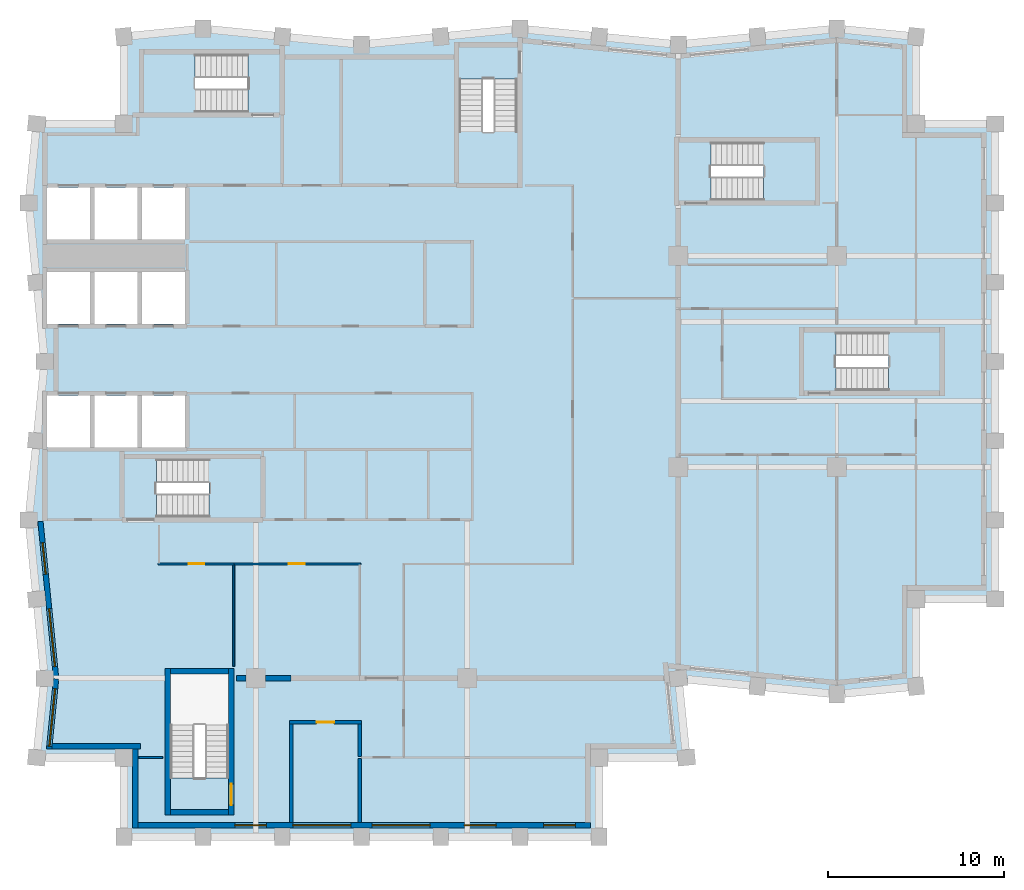
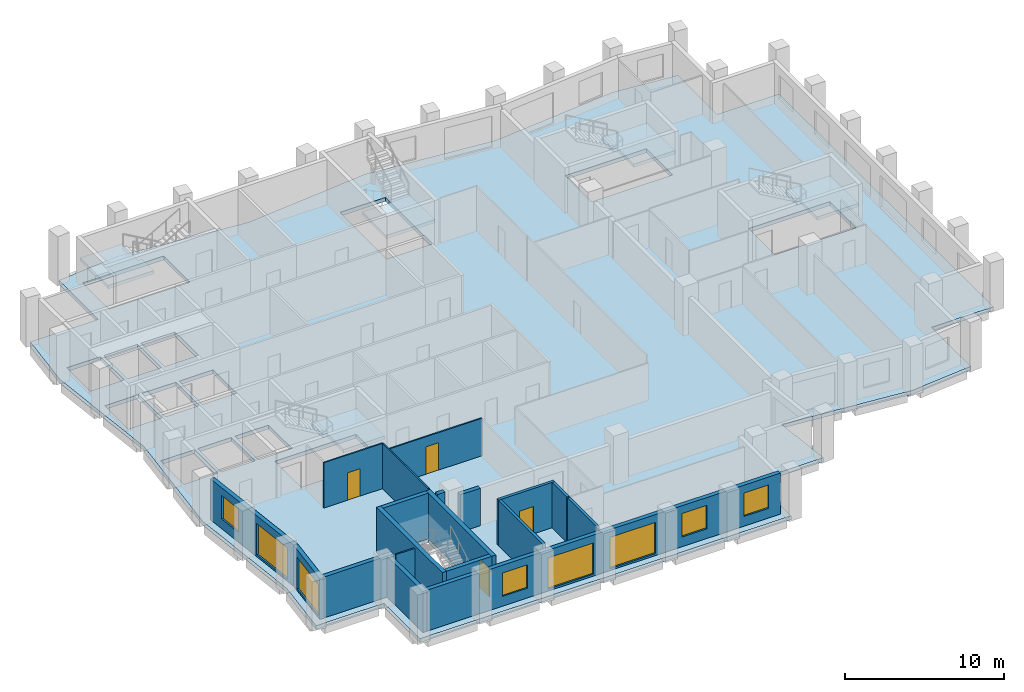
# One storey, part 2 of 8: 19 walls, 8 windows, 6 slabs, 4 doors, 12 openings, 5 elements without a shape of their own.
"""IFC4 building model written with IfcOpenShell, lengths in metres."""

from ifc_helpers import new_model, si_unit, direction, frame, frame_2d, origin, place, context, subcontext, project, spatial, polyline, rectangle, outline, extrude, material, layer, layer_set, type_object, element, fill, aggregate, save


model = new_model("IFC4")

# Units and contexts
model_context = context("Model", 3, precision=1e-05, world=origin(), true_north=direction((0.0, 1.0)))
body_context = subcontext(model_context, "Body", "Model", "MODEL_VIEW")
ifc_project = project(units=[si_unit("LENGTHUNIT", "METRE"), si_unit("AREAUNIT", "SQUARE_METRE"), si_unit("VOLUMEUNIT", "CUBIC_METRE"), si_unit("PLANEANGLEUNIT", "RADIAN"), si_unit("MASSUNIT", "GRAM", prefix="KILO")], contexts=[model_context])

# Site, building, storey
site_placement = place(None, origin())
site = spatial("IfcSite", under=ifc_project, at=site_placement, CompositionType="ELEMENT")
building_placement = place(site_placement, origin())
building = spatial("IfcBuilding", under=site, at=building_placement, Name="Brondeck Convention Tower", CompositionType="ELEMENT")
storey_placement = place(building_placement, frame((0.0, 0.0, 221.60009765625)))
storey = spatial("IfcBuildingStorey", under=building, at=storey_placement, Name="L54", CompositionType="ELEMENT", Elevation=221.60009765625)

# Slab
ifc_material_1 = material(Name="Concrete C35/45", Category="concrete")
ifc_layer_1 = layer(ifc_material_1, 0.300048828125)
ifc_layer_set_1 = layer_set([ifc_layer_1], Name="Composite floor slab 300")
slab_type_1 = type_object("IfcSlabType", Name="Composite floor slab 300", PredefinedType="FLOOR", material=ifc_layer_set_1)
slab_1_placement = place(storey_placement, frame((0.0, 0.0, -0.300048828125)))
element("IfcSlab", 1, at=slab_1_placement, inside=storey, type_object=slab_type_1, Name="STR-SL-L54", PredefinedType="FLOOR", context=body_context, shape_type="SweptSolid", body=[
    extrude(outline(polyline([(4.5, 22.5), (-0.449951171875, 22.5), (0.0, 27.0), (-0.89990234375, 36.0), (0.0, 45.0), (-0.89990234375, 54.0), (-0.449951171875, 58.5), (4.5, 58.5), (4.5, 63.449951171875), (9.0, 63.89990234375), (18.0, 63.0), (27.0, 63.89990234375), (36.0, 63.0), (45.0, 63.89990234375), (49.5, 63.449951171875), (49.5, 58.5), (54.0, 58.5), (54.0, 31.5), (49.5, 31.5), (49.5, 26.550048828125), (45.0, 26.10009765625), (36.0, 27.0), (36.449951171875, 22.5), (31.5, 22.5), (31.5, 18.0), (4.5, 18.0), (4.5, 22.5)]), holes=[polyline([(2.574951171875, 43.074951171875), (0.125, 43.074951171875), (0.125, 40.125), (2.574951171875, 40.125), (2.574951171875, 43.074951171875)]), polyline([(5.27490234375, 40.125), (5.27490234375, 43.074951171875), (2.824951171875, 43.074951171875), (2.824951171875, 40.125), (5.27490234375, 40.125)]), polyline([(7.97509765625, 40.125), (7.97509765625, 43.074951171875), (5.52490234375, 43.074951171875), (5.52490234375, 40.125), (7.97509765625, 40.125)]), polyline([(2.574951171875, 47.125), (2.574951171875, 50.074951171875), (0.125, 50.074951171875), (0.125, 47.125), (2.574951171875, 47.125)]), polyline([(5.27490234375, 47.125), (5.27490234375, 50.074951171875), (2.824951171875, 50.074951171875), (2.824951171875, 47.125), (5.27490234375, 47.125)]), polyline([(7.97509765625, 47.125), (7.97509765625, 50.074951171875), (5.52490234375, 50.074951171875), (5.52490234375, 47.125), (7.97509765625, 47.125)]), polyline([(2.574951171875, 51.925048828125), (2.574951171875, 54.875), (0.125, 54.875), (0.125, 51.925048828125), (2.574951171875, 51.925048828125)]), polyline([(5.27490234375, 51.925048828125), (5.27490234375, 54.875), (2.824951171875, 54.875), (2.824951171875, 51.925048828125), (5.27490234375, 51.925048828125)]), polyline([(10.447998046875, 27.248046875), (7.152099609375, 27.248046875), (7.152099609375, 21.35205078125), (10.447998046875, 21.35205078125), (10.447998046875, 27.248046875)]), polyline([(12.248046875, 36.152099609375), (12.248046875, 39.447998046875), (6.35205078125, 39.447998046875), (6.35205078125, 36.152099609375), (12.248046875, 36.152099609375)]), polyline([(50.847900390625, 43.35205078125), (50.847900390625, 46.64794921875), (44.951904296875, 46.64794921875), (44.951904296875, 43.35205078125), (50.847900390625, 43.35205078125)]), polyline([(7.97509765625, 51.925048828125), (7.97509765625, 54.875), (5.52490234375, 54.875), (5.52490234375, 51.925048828125), (7.97509765625, 51.925048828125)]), polyline([(43.748046875, 54.152099609375), (43.748046875, 57.447998046875), (37.85205078125, 57.447998046875), (37.85205078125, 54.152099609375), (43.748046875, 54.152099609375)]), polyline([(23.552001953125, 55.152099609375), (26.847900390625, 55.152099609375), (26.847900390625, 61.048095703125), (23.552001953125, 61.048095703125), (23.552001953125, 55.152099609375)]), polyline([(5.652099609375, 62.447998046875), (5.652099609375, 59.152099609375), (11.548095703125, 59.152099609375), (11.548095703125, 62.447998046875), (5.652099609375, 62.447998046875)])]), origin(), (0.0, 0.0, 1.0), 0.300048828125),
])

# Stair, slab
ifc_material_2 = material(Name="Precast concrete C50/60", Category="concrete")
stair_type = type_object("IfcStairType", Name="Core stair 22 risers 172.73 mm riser 300 mm going 1350 wide", PredefinedType="HALF_TURN_STAIR", material=ifc_material_2)
stair_1_placement = place(storey_placement, origin())
stair_1 = element("IfcStair", 2, at=stair_1_placement, inside=storey, type_object=stair_type, Name="ST-1 L54 stair", PredefinedType="HALF_TURN_STAIR")
ifc_layer_2 = layer(ifc_material_2, 0.25)
ifc_layer_set_2 = layer_set([ifc_layer_2], Name="Core stair landing 250 Precast concrete C50/60")
slab_type_2 = type_object("IfcSlabType", Name="Core stair landing 250 Precast concrete C50/60", PredefinedType="LANDING", material=ifc_layer_set_2)
slab_2_placement = place(storey_placement, frame((0.0, 0.0, 1.64990234375)))
slab_2 = element("IfcSlab", 3, at=slab_2_placement, type_object=slab_type_2, Name="ST-1 landing 1", PredefinedType="LANDING", context=body_context, shape_type="SweptSolid", body=[
    extrude(outline(polyline([(9.347900390625, 37.5), (9.35009765625, 37.5), (9.35009765625, 38.10009765625), (9.050048828125, 38.10009765625), (9.050048828125, 39.570068359375), (12.3701171875, 39.570068359375), (12.3701171875, 36.030029296875), (9.347900390625, 36.030029296875), (9.347900390625, 37.5)])), origin(), (0.0, 0.0, 1.0), 0.25),
])
aggregate(stair_1, [slab_2])

stair_2_placement = place(storey_placement, origin())
stair_2 = element("IfcStair", 4, at=stair_2_placement, inside=storey, type_object=stair_type, Name="ST-2 L54 stair", PredefinedType="HALF_TURN_STAIR")
slab_3_placement = place(storey_placement, frame((0.0, 0.0, 1.64990234375)))
slab_3 = element("IfcSlab", 5, at=slab_3_placement, type_object=slab_type_2, Name="ST-2 landing 1", PredefinedType="LANDING", context=body_context, shape_type="SweptSolid", body=[
    extrude(outline(polyline([(23.429931640625, 58.052001953125), (24.89990234375, 58.052001953125), (24.89990234375, 58.050048828125), (25.5, 58.050048828125), (25.5, 58.35009765625), (26.969970703125, 58.35009765625), (26.969970703125, 55.030029296875), (23.429931640625, 55.030029296875), (23.429931640625, 58.052001953125)])), origin(), (0.0, 0.0, 1.0), 0.25),
])
aggregate(stair_2, [slab_3])

stair_3_placement = place(storey_placement, origin())
stair_3 = element("IfcStair", 6, at=stair_3_placement, inside=storey, type_object=stair_type, Name="ST-3 L54 stair", PredefinedType="HALF_TURN_STAIR")
slab_4_placement = place(storey_placement, frame((0.0, 0.0, 1.64990234375)))
slab_4 = element("IfcSlab", 7, at=slab_4_placement, type_object=slab_type_2, Name="ST-3 landing 1", PredefinedType="LANDING", context=body_context, shape_type="SweptSolid", body=[
    extrude(outline(polyline([(8.85009765625, 60.5), (8.85009765625, 59.030029296875), (5.530029296875, 59.030029296875), (5.530029296875, 62.570068359375), (8.552001953125, 62.570068359375), (8.552001953125, 61.10009765625), (8.550048828125, 61.10009765625), (8.550048828125, 60.5), (8.85009765625, 60.5)])), origin(), (0.0, 0.0, 1.0), 0.25),
])
aggregate(stair_3, [slab_4])

stair_4_placement = place(storey_placement, origin())
stair_4 = element("IfcStair", 8, at=stair_4_placement, inside=storey, type_object=stair_type, Name="ST-AE L54 stair", PredefinedType="HALF_TURN_STAIR")
slab_5_placement = place(storey_placement, frame((0.0, 0.0, 1.64990234375)))
slab_5 = element("IfcSlab", 9, at=slab_5_placement, type_object=slab_type_2, Name="ST-AE landing 1", PredefinedType="LANDING", context=body_context, shape_type="SweptSolid", body=[
    extrude(outline(polyline([(40.847900390625, 55.5), (40.85009765625, 55.5), (40.85009765625, 56.10009765625), (40.550048828125, 56.10009765625), (40.550048828125, 57.570068359375), (43.8701171875, 57.570068359375), (43.8701171875, 54.030029296875), (40.847900390625, 54.030029296875), (40.847900390625, 55.5)])), origin(), (0.0, 0.0, 1.0), 0.25),
])
aggregate(stair_4, [slab_5])

stair_5_placement = place(storey_placement, origin())
stair_5 = element("IfcStair", 10, at=stair_5_placement, inside=storey, type_object=stair_type, Name="ST-AF L54 stair", PredefinedType="HALF_TURN_STAIR")
slab_6_placement = place(storey_placement, frame((0.0, 0.0, 1.64990234375)))
slab_6 = element("IfcSlab", 11, at=slab_6_placement, type_object=slab_type_2, Name="ST-AF landing 1", PredefinedType="LANDING", context=body_context, shape_type="SweptSolid", body=[
    extrude(outline(polyline([(47.947998046875, 44.699951171875), (47.949951171875, 44.699951171875), (47.949951171875, 45.300048828125), (47.64990234375, 45.300048828125), (47.64990234375, 46.77001953125), (50.969970703125, 46.77001953125), (50.969970703125, 43.22998046875), (47.947998046875, 43.22998046875), (47.947998046875, 44.699951171875)])), origin(), (0.0, 0.0, 1.0), 0.25),
])
aggregate(stair_5, [slab_6])

# Walls
ifc_material_3 = material(Name="Concrete compartment wall C30/37", Category="concrete")
ifc_layer_3 = layer(ifc_material_3, 0.300048828125)
ifc_layer_set_3 = layer_set([ifc_layer_3], Name="Compartment wall 300")
wall_type_1 = type_object("IfcWallType", Name="Compartment wall 300", PredefinedType="PARTITIONING", material=ifc_layer_set_3)
wall_1_placement = place(storey_placement, frame((10.89990234375, 27.0, 0.0), z_axis=(0.0, 0.0, 1.0), x_axis=(1.0, 0.0, 0.0)))
element("IfcWall", 12, at=wall_1_placement, inside=storey, type_object=wall_type_1, Name="FLR-L54-W013", PredefinedType="PARTITIONING", context=body_context, shape_type="SweptSolid", body=[
    extrude(rectangle(XDim=0.545166015625, YDim=0.300048828125, at=frame_2d((0.2724609375, 0.0))), origin(), (0.0, 0.0, 1.0), 3.47998046875),
])
wall_2_placement = place(storey_placement, frame((12.554931640625, 27.0, 0.0), z_axis=(0.0, 0.0, 1.0), x_axis=(1.0, 0.0, 0.0)))
element("IfcWall", 13, at=wall_2_placement, inside=storey, type_object=wall_type_1, Name="FLR-L54-W014", PredefinedType="PARTITIONING", context=body_context, shape_type="SweptSolid", body=[
    extrude(rectangle(XDim=1.445068359375, YDim=0.300048828125, at=frame_2d((0.72265625, 0.0))), origin(), (0.0, 0.0, 1.0), 2.8798828125),
])

# Wall, openings, windows
ifc_material_4 = material(Name="Precast concrete C50/60 bronze finish", Category="concrete")
ifc_layer_4 = layer(ifc_material_4, 0.070068359375, Name="Bronze precast facing")
ifc_material_5 = material(Name="Mineral wool")
ifc_layer_5 = layer(ifc_material_5, 0.159912109375, Name="Insulation")
ifc_layer_6 = layer(ifc_material_1, 0.070068359375, Name="Backing")
ifc_layer_set_4 = layer_set([ifc_layer_4, ifc_layer_5, ifc_layer_6], Name="External infill wall, precast concrete C50/60 bronze facing")
wall_type_2 = type_object("IfcWallType", Name="External infill wall, precast concrete C50/60 bronze facing", PredefinedType="SOLIDWALL", material=ifc_layer_set_4)
wall_3_placement = place(storey_placement, frame((31.0, 18.64990234375, 0.0), z_axis=(0.0, 0.0, 1.0), x_axis=(-1.0, 0.0, 0.0)))
wall_3 = element("IfcWall", 14, at=wall_3_placement, inside=storey, type_object=wall_type_2, Name="ENV-EW-L54-P2-B-S18-01", PredefinedType="SOLIDWALL", context=body_context, shape_type="SweptSolid", body=[
    extrude(rectangle(XDim=25.699951171875, YDim=0.300048828125, at=frame_2d((12.85009765625, 0.0))), origin(), (0.0, 0.0, 1.0), 3.14990234375),
])
opening_1_placement = place(wall_3_placement, frame((0.85009765625, 0.0, 0.75)))
opening_1 = element("IfcOpeningElement", 15, at=opening_1_placement, cuts=wall_3, Name="Opening W10", PredefinedType="OPENING", context=body_context, shape_type="SweptSolid", body=[
    extrude(rectangle(XDim=1.800048828125, YDim=1.800048828125, at=frame_2d((0.89990234375, 0.89990234375))), frame((0.0, 0.159912109375, 0.0), z_axis=(0.0, -1.0, 0.0), x_axis=(1.0, 0.0, 0.0)), (0.0, 0.0, 1.0), 0.320068359375),
])
opening_2_placement = place(wall_3_placement, frame((5.35009765625, 0.0, 0.75)))
opening_2 = element("IfcOpeningElement", 16, at=opening_2_placement, cuts=wall_3, Name="Opening W10", PredefinedType="OPENING", context=body_context, shape_type="SweptSolid", body=[
    extrude(rectangle(XDim=1.800048828125, YDim=1.800048828125, at=frame_2d((0.89990234375, 0.89990234375))), frame((0.0, 0.159912109375, 0.0), z_axis=(0.0, -1.0, 0.0), x_axis=(1.0, 0.0, 0.0)), (0.0, 0.0, 1.0), 0.320068359375),
])
opening_3_placement = place(wall_3_placement, frame((9.10009765625, 0.0, 0.14990234375)))
opening_3 = element("IfcOpeningElement", 17, at=opening_3_placement, cuts=wall_3, Name="Opening W9", PredefinedType="OPENING", context=body_context, shape_type="SweptSolid", body=[
    extrude(rectangle(XDim=3.300048828125, YDim=2.39990234375, at=frame_2d((1.64990234375, 1.199951171875))), frame((0.0, 0.159912109375, 0.0), z_axis=(0.0, -1.0, 0.0), x_axis=(1.0, 0.0, 0.0)), (0.0, 0.0, 1.0), 0.320068359375),
])
opening_4_placement = place(wall_3_placement, frame((13.60009765625, 0.0, 0.14990234375)))
opening_4 = element("IfcOpeningElement", 18, at=opening_4_placement, cuts=wall_3, Name="Opening W9", PredefinedType="OPENING", context=body_context, shape_type="SweptSolid", body=[
    extrude(rectangle(XDim=3.300048828125, YDim=2.39990234375, at=frame_2d((1.64990234375, 1.199951171875))), frame((0.0, 0.159912109375, 0.0), z_axis=(0.0, -1.0, 0.0), x_axis=(1.0, 0.0, 0.0)), (0.0, 0.0, 1.0), 0.320068359375),
])
opening_5_placement = place(wall_3_placement, frame((18.39990234375, 0.0, 0.75)))
opening_5 = element("IfcOpeningElement", 19, at=opening_5_placement, cuts=wall_3, Name="Opening W10", PredefinedType="OPENING", context=body_context, shape_type="SweptSolid", body=[
    extrude(rectangle(XDim=1.800048828125, YDim=1.800048828125, at=frame_2d((0.89990234375, 0.89990234375))), frame((0.0, 0.159912109375, 0.0), z_axis=(0.0, -1.0, 0.0), x_axis=(1.0, 0.0, 0.0)), (0.0, 0.0, 1.0), 0.320068359375),
])
ifc_material_6 = material(Name="Bronze tinted double glazing", Category="glass")
window_type_1 = type_object("IfcWindowType", Name="Glazed flute window, bronze tinted", PartitioningType="SINGLE_PANEL", PredefinedType="WINDOW", material=ifc_material_6)
window_1_placement = place(opening_3_placement, origin())
window_1 = element("IfcWindow", 20, at=window_1_placement, inside=storey, type_object=window_type_1, Name="ENV-WN-L54-P2-B-S18-04", OverallHeight=2.39990234375, OverallWidth=3.300048828125, PartitioningType="SINGLE_PANEL", PredefinedType="WINDOW", context=body_context, shape_type="SweptSolid", body=[
    extrude(rectangle(XDim=3.300048828125, YDim=2.39990234375, at=frame_2d((1.64990234375, 1.199951171875))), frame((0.0, 0.030029296875, 0.0), z_axis=(0.0, -1.0, 0.0), x_axis=(1.0, 0.0, 0.0)), (0.0, 0.0, 1.0), 0.06005859375),
])
fill(opening_3, window_1)
window_2_placement = place(opening_4_placement, origin())
window_2 = element("IfcWindow", 21, at=window_2_placement, inside=storey, type_object=window_type_1, Name="ENV-WN-L54-P2-B-S18-03", OverallHeight=2.39990234375, OverallWidth=3.300048828125, PartitioningType="SINGLE_PANEL", PredefinedType="WINDOW", context=body_context, shape_type="SweptSolid", body=[
    extrude(rectangle(XDim=3.300048828125, YDim=2.39990234375, at=frame_2d((1.64990234375, 1.199951171875))), frame((0.0, 0.030029296875, 0.0), z_axis=(0.0, -1.0, 0.0), x_axis=(1.0, 0.0, 0.0)), (0.0, 0.0, 1.0), 0.06005859375),
])
fill(opening_4, window_2)
window_type_2 = type_object("IfcWindowType", Name="Punched window, bronze tinted", PartitioningType="SINGLE_PANEL", PredefinedType="WINDOW", material=ifc_material_6)
window_3_placement = place(opening_1_placement, origin())
window_3 = element("IfcWindow", 22, at=window_3_placement, inside=storey, type_object=window_type_2, Name="ENV-WN-L54-P2-B-S18-06", OverallHeight=1.800048828125, OverallWidth=1.800048828125, PartitioningType="SINGLE_PANEL", PredefinedType="WINDOW", context=body_context, shape_type="SweptSolid", body=[
    extrude(rectangle(XDim=1.800048828125, YDim=1.800048828125, at=frame_2d((0.89990234375, 0.89990234375))), frame((0.0, 0.030029296875, 0.0), z_axis=(0.0, -1.0, 0.0), x_axis=(1.0, 0.0, 0.0)), (0.0, 0.0, 1.0), 0.06005859375),
])
fill(opening_1, window_3)
window_4_placement = place(opening_2_placement, origin())
window_4 = element("IfcWindow", 23, at=window_4_placement, inside=storey, type_object=window_type_2, Name="ENV-WN-L54-P2-B-S18-05", OverallHeight=1.800048828125, OverallWidth=1.800048828125, PartitioningType="SINGLE_PANEL", PredefinedType="WINDOW", context=body_context, shape_type="SweptSolid", body=[
    extrude(rectangle(XDim=1.800048828125, YDim=1.800048828125, at=frame_2d((0.89990234375, 0.89990234375))), frame((0.0, 0.030029296875, 0.0), z_axis=(0.0, -1.0, 0.0), x_axis=(1.0, 0.0, 0.0)), (0.0, 0.0, 1.0), 0.06005859375),
])
fill(opening_2, window_4)
window_5_placement = place(opening_5_placement, origin())
window_5 = element("IfcWindow", 24, at=window_5_placement, inside=storey, type_object=window_type_2, Name="ENV-WN-L54-P2-B-S18-02", OverallHeight=1.800048828125, OverallWidth=1.800048828125, PartitioningType="SINGLE_PANEL", PredefinedType="WINDOW", context=body_context, shape_type="SweptSolid", body=[
    extrude(rectangle(XDim=1.800048828125, YDim=1.800048828125, at=frame_2d((0.89990234375, 0.89990234375))), frame((0.0, 0.030029296875, 0.0), z_axis=(0.0, -1.0, 0.0), x_axis=(1.0, 0.0, 0.0)), (0.0, 0.0, 1.0), 0.06005859375),
])
fill(opening_5, window_5)

wall_4_placement = place(storey_placement, frame((0.65478515625, 26.985107421875, 0.0), z_axis=(0.0, 0.0, 1.0), x_axis=(-0.099509105781, 0.995036651519, 0.0)))
wall_4 = element("IfcWall", 25, at=wall_4_placement, inside=storey, type_object=wall_type_2, Name="ENV-EW-L54-P2-B-W-06", PredefinedType="SOLIDWALL", context=body_context, shape_type="SweptSolid", body=[
    extrude(rectangle(XDim=8.974609375, YDim=0.300048828125, at=frame_2d((4.4873046875, 0.0))), origin(), (0.0, 0.0, 1.0), 3.14990234375),
])
opening_6_placement = place(wall_4_placement, frame((0.691162109375, 0.0, 0.14990234375)))
opening_6 = element("IfcOpeningElement", 26, at=opening_6_placement, cuts=wall_4, Name="Opening W9", PredefinedType="OPENING", context=body_context, shape_type="SweptSolid", body=[
    extrude(rectangle(XDim=3.300048828125, YDim=2.39990234375, at=frame_2d((1.64990234375, 1.199951171875))), frame((0.0, 0.159912109375, 0.0), z_axis=(0.0, -1.0, 0.0), x_axis=(1.0, 0.0, 0.0)), (0.0, 0.0, 1.0), 0.320068359375),
])
opening_7_placement = place(wall_4_placement, frame((5.963623046875, 0.0, 0.75)))
opening_7 = element("IfcOpeningElement", 27, at=opening_7_placement, cuts=wall_4, Name="Opening W10", PredefinedType="OPENING", context=body_context, shape_type="SweptSolid", body=[
    extrude(rectangle(XDim=1.800048828125, YDim=1.800048828125, at=frame_2d((0.89990234375, 0.89990234375))), frame((0.0, 0.159912109375, 0.0), z_axis=(0.0, -1.0, 0.0), x_axis=(1.0, 0.0, 0.0)), (0.0, 0.0, 1.0), 0.320068359375),
])
window_6_placement = place(opening_6_placement, origin())
window_6 = element("IfcWindow", 28, at=window_6_placement, inside=storey, type_object=window_type_1, Name="ENV-WN-L54-P2-B-W-07", OverallHeight=2.39990234375, OverallWidth=3.300048828125, PartitioningType="SINGLE_PANEL", PredefinedType="WINDOW", context=body_context, shape_type="SweptSolid", body=[
    extrude(rectangle(XDim=3.300048828125, YDim=2.39990234375, at=frame_2d((1.64990234375, 1.199951171875))), frame((0.0, 0.030029296875, 0.0), z_axis=(0.0, -1.0, 0.0), x_axis=(1.0, 0.0, 0.0)), (0.0, 0.0, 1.0), 0.06005859375),
])
fill(opening_6, window_6)
window_7_placement = place(opening_7_placement, origin())
window_7 = element("IfcWindow", 29, at=window_7_placement, inside=storey, type_object=window_type_2, Name="ENV-WN-L54-P2-B-W-06", OverallHeight=1.800048828125, OverallWidth=1.800048828125, PartitioningType="SINGLE_PANEL", PredefinedType="WINDOW", context=body_context, shape_type="SweptSolid", body=[
    extrude(rectangle(XDim=1.800048828125, YDim=1.800048828125, at=frame_2d((0.89990234375, 0.89990234375))), frame((0.0, 0.030029296875, 0.0), z_axis=(0.0, -1.0, 0.0), x_axis=(1.0, 0.0, 0.0)), (0.0, 0.0, 1.0), 0.06005859375),
])
fill(opening_7, window_7)

# Wall, opening, window
wall_5_placement = place(storey_placement, frame((0.251708984375, 22.985107421875, 0.0), z_axis=(0.0, 0.0, 1.0), x_axis=(0.09954596771, 0.995032964435, 0.0)))
wall_5 = element("IfcWall", 30, at=wall_5_placement, inside=storey, type_object=wall_type_2, Name="ENV-EW-L54-P2-B-W-08", PredefinedType="SOLIDWALL", context=body_context, shape_type="SweptSolid", body=[
    extrude(rectangle(XDim=4.0048828125, YDim=0.300048828125, at=frame_2d((2.00244140625, 0.0))), origin(), (0.0, 0.0, 1.0), 3.14990234375),
])
opening_8_placement = place(wall_5_placement, frame((0.14990234375, 0.0, 0.14990234375)))
opening_8 = element("IfcOpeningElement", 31, at=opening_8_placement, cuts=wall_5, Name="Opening W9", PredefinedType="OPENING", context=body_context, shape_type="SweptSolid", body=[
    extrude(rectangle(XDim=3.300048828125, YDim=2.39990234375, at=frame_2d((1.64990234375, 1.199951171875))), frame((0.0, 0.159912109375, 0.0), z_axis=(0.0, -1.0, 0.0), x_axis=(1.0, 0.0, 0.0)), (0.0, 0.0, 1.0), 0.320068359375),
])
window_8_placement = place(opening_8_placement, origin())
window_8 = element("IfcWindow", 32, at=window_8_placement, inside=storey, type_object=window_type_1, Name="ENV-WN-L54-P2-B-W-08", OverallHeight=2.39990234375, OverallWidth=3.300048828125, PartitioningType="SINGLE_PANEL", PredefinedType="WINDOW", context=body_context, shape_type="SweptSolid", body=[
    extrude(rectangle(XDim=3.300048828125, YDim=2.39990234375, at=frame_2d((1.64990234375, 1.199951171875))), frame((0.0, 0.030029296875, 0.0), z_axis=(0.0, -1.0, 0.0), x_axis=(1.0, 0.0, 0.0)), (0.0, 0.0, 1.0), 0.06005859375),
])
fill(opening_8, window_8)

# Walls
wall_6_placement = place(storey_placement, frame((5.449951171875, 23.14990234375, 0.0), z_axis=(0.0, 0.0, 1.0), x_axis=(-1.0, 0.0, 0.0)))
element("IfcWall", 33, at=wall_6_placement, inside=storey, type_object=wall_type_2, Name="ENV-EW-L54-P2-NC-SWB18-01", PredefinedType="SOLIDWALL", context=body_context, shape_type="SweptSolid", body=[
    extrude(rectangle(XDim=5.025634765625, YDim=0.300048828125, at=frame_2d((2.5126953125, 0.0))), origin(), (0.0, 0.0, 1.0), 3.14990234375),
])
wall_7_placement = place(storey_placement, frame((5.14990234375, 18.5, 0.0), z_axis=(0.0, 0.0, 1.0), x_axis=(0.0, 1.0, 0.0)))
element("IfcWall", 34, at=wall_7_placement, inside=storey, type_object=wall_type_2, Name="ENV-EW-L54-P2-NC-SWB18-02", PredefinedType="SOLIDWALL", context=body_context, shape_type="SweptSolid", body=[
    extrude(rectangle(XDim=4.5, YDim=0.300048828125, at=frame_2d((2.25, 0.0))), origin(), (0.0, 0.0, 1.0), 3.14990234375),
])
ifc_material_7 = material(Name="Concrete block wall C16/20", Category="concrete")
ifc_layer_7 = layer(ifc_material_7, 0.199951171875)
ifc_layer_set_5 = layer_set([ifc_layer_7], Name="Plant room wall 200")
wall_type_3 = type_object("IfcWallType", Name="Plant room wall 200", PredefinedType="PARTITIONING", material=ifc_layer_set_5)
wall_8_placement = place(storey_placement, frame((17.89990234375, 22.449951171875, 0.0), z_axis=(0.0, 0.0, 1.0), x_axis=(0.0, -1.0, 0.0)))
element("IfcWall", 35, at=wall_8_placement, inside=storey, type_object=wall_type_3, Name="FLR-L54-W001", PredefinedType="PARTITIONING", context=body_context, shape_type="SweptSolid", body=[
    extrude(rectangle(XDim=3.6298828125, YDim=0.199951171875, at=frame_2d((1.81494140625, 0.0))), origin(), (0.0, 0.0, 1.0), 3.47998046875),
])
wall_9_placement = place(storey_placement, frame((17.89990234375, 22.550048828125, 0.0), z_axis=(0.0, 0.0, 1.0), x_axis=(0.0, 1.0, 0.0)))
element("IfcWall", 36, at=wall_9_placement, inside=storey, type_object=wall_type_3, Name="FLR-L54-W006", PredefinedType="PARTITIONING", context=body_context, shape_type="SweptSolid", body=[
    extrude(rectangle(XDim=1.849853515625, YDim=0.199951171875, at=frame_2d((0.9248046875, 0.0))), origin(), (0.0, 0.0, 1.0), 3.47998046875),
])
wall_10_placement = place(storey_placement, frame((14.0, 24.39990234375, 0.0), z_axis=(0.0, 0.0, 1.0), x_axis=(0.0, -1.0, 0.0)))
element("IfcWall", 37, at=wall_10_placement, inside=storey, type_object=wall_type_3, Name="FLR-L54-W009", PredefinedType="PARTITIONING", context=body_context, shape_type="SweptSolid", body=[
    extrude(rectangle(XDim=5.579833984375, YDim=0.199951171875, at=frame_2d((2.7900390625, 0.0))), origin(), (0.0, 0.0, 1.0), 3.47998046875),
])

# Wall, opening, door
wall_11_placement = place(storey_placement, frame((18.0, 24.5, 0.0), z_axis=(0.0, 0.0, 1.0), x_axis=(-1.0, 0.0, 0.0)))
wall_11 = element("IfcWall", 38, at=wall_11_placement, inside=storey, type_object=wall_type_3, Name="FLR-L54-W010", PredefinedType="PARTITIONING", context=body_context, shape_type="SweptSolid", body=[
    extrude(rectangle(XDim=4.10009765625, YDim=0.199951171875, at=frame_2d((2.050048828125, 0.0))), origin(), (0.0, 0.0, 1.0), 3.47998046875),
])
opening_9_placement = place(wall_11_placement, frame((1.550048828125, 0.0, 0.0)))
opening_9 = element("IfcOpeningElement", 39, at=opening_9_placement, cuts=wall_11, Name="Opening OF-M-002", PredefinedType="OPENING", context=body_context, shape_type="SweptSolid", body=[
    extrude(rectangle(XDim=1.0, YDim=2.10009765625, at=frame_2d((0.5, 1.050048828125))), frame((0.0, 0.10986328125, 0.0), z_axis=(0.0, -1.0, 0.0), x_axis=(1.0, 0.0, 0.0)), (0.0, 0.0, 1.0), 0.219970703125),
])
ifc_material_8 = material(Name="Steel fire door leaf", Category="steel")
door_type_1 = type_object("IfcDoorType", Name="Plant room door 1000", OperationType="NOTDEFINED", PredefinedType="DOOR", material=ifc_material_8)
door_1_placement = place(opening_9_placement, origin())
door_1 = element("IfcDoor", 40, at=door_1_placement, inside=storey, type_object=door_type_1, Name="Door OF-M-002", OperationType="SINGLE_SWING_RIGHT", OverallHeight=2.10009765625, OverallWidth=1.0, PredefinedType="DOOR", context=body_context, shape_type="SweptSolid", body=[
    extrude(rectangle(XDim=1.0, YDim=2.10009765625, at=frame_2d((0.5, 1.050048828125))), frame((0.0, 0.02490234375, 0.0), z_axis=(0.0, -1.0, 0.0), x_axis=(1.0, 0.0, 0.0)), (0.0, 0.0, 1.0), 0.050048828125),
])
fill(opening_9, door_1)

# Walls
ifc_material_9 = material(Name="Gypsum board partition on steel studs", Category="steel")
ifc_layer_8 = layer(ifc_material_9, 0.10009765625)
ifc_layer_set_6 = layer_set([ifc_layer_8], Name="Room partition 100")
wall_type_4 = type_object("IfcWallType", Name="Room partition 100", PredefinedType="PARTITIONING", material=ifc_layer_set_6)
wall_12_placement = place(storey_placement, frame((5.35009765625, 22.5, 0.0), z_axis=(0.0, 0.0, 1.0), x_axis=(1.0, 0.0, 0.0)))
element("IfcWall", 41, at=wall_12_placement, inside=storey, type_object=wall_type_4, Name="FLR-L54-W002", PredefinedType="PARTITIONING", context=body_context, shape_type="SweptSolid", body=[
    extrude(rectangle(XDim=1.349853515625, YDim=0.10009765625, at=frame_2d((0.6748046875, 0.0))), origin(), (0.0, 0.0, 1.0), 3.47998046875),
])
wall_13_placement = place(storey_placement, frame((10.748046875, 33.449951171875, 0.0), z_axis=(0.0, 0.0, 1.0), x_axis=(0.0, -1.0, 0.0)))
element("IfcWall", 42, at=wall_13_placement, inside=storey, type_object=wall_type_4, Name="FLR-L54-W024", PredefinedType="PARTITIONING", context=body_context, shape_type="SweptSolid", body=[
    extrude(rectangle(XDim=5.75, YDim=0.10009765625, at=frame_2d((2.875, 0.0))), origin(), (0.0, 0.0, 1.0), 3.47998046875),
])

# Wall, opening, door
wall_14_placement = place(storey_placement, frame((10.748046875, 33.5, 0.0), z_axis=(0.0, 0.0, 1.0), x_axis=(-1.0, 0.0, 0.0)))
wall_14 = element("IfcWall", 43, at=wall_14_placement, inside=storey, type_object=wall_type_4, Name="FLR-L54-W026", PredefinedType="PARTITIONING", context=body_context, shape_type="SweptSolid", body=[
    extrude(rectangle(XDim=4.298095703125, YDim=0.10009765625, at=frame_2d((2.14892578125, 0.0))), origin(), (0.0, 0.0, 1.0), 3.47998046875),
])
opening_10_placement = place(wall_14_placement, frame((1.674072265625, 0.0, 0.0)))
opening_10 = element("IfcOpeningElement", 44, at=opening_10_placement, cuts=wall_14, Name="Opening OF-M-011", PredefinedType="OPENING", context=body_context, shape_type="SweptSolid", body=[
    extrude(rectangle(XDim=0.89990234375, YDim=2.10009765625, at=frame_2d((0.449951171875, 1.050048828125))), frame((0.0, 0.06005859375, 0.0), z_axis=(0.0, -1.0, 0.0), x_axis=(1.0, 0.0, 0.0)), (0.0, 0.0, 1.0), 0.1201171875),
])
ifc_material_10 = material(Name="Solid timber door leaf", Category="wood")
door_type_2 = type_object("IfcDoorType", Name="Single door 900", OperationType="NOTDEFINED", PredefinedType="DOOR", material=ifc_material_10)
door_2_placement = place(opening_10_placement, origin())
door_2 = element("IfcDoor", 45, at=door_2_placement, inside=storey, type_object=door_type_2, Name="Door OF-M-011", OperationType="SINGLE_SWING_RIGHT", OverallHeight=2.10009765625, OverallWidth=0.89990234375, PredefinedType="DOOR", context=body_context, shape_type="SweptSolid", body=[
    extrude(rectangle(XDim=0.89990234375, YDim=2.10009765625, at=frame_2d((0.449951171875, 1.050048828125))), frame((0.0, 0.02490234375, 0.0), z_axis=(0.0, -1.0, 0.0), x_axis=(1.0, 0.0, 0.0)), (0.0, 0.0, 1.0), 0.050048828125),
])
fill(opening_10, door_2)

wall_15_placement = place(storey_placement, frame((17.949951171875, 33.5, 0.0), z_axis=(0.0, 0.0, 1.0), x_axis=(-1.0, 0.0, 0.0)))
wall_15 = element("IfcWall", 46, at=wall_15_placement, inside=storey, type_object=wall_type_4, Name="FLR-L54-W027", PredefinedType="PARTITIONING", context=body_context, shape_type="SweptSolid", body=[
    extrude(rectangle(XDim=7.201904296875, YDim=0.10009765625, at=frame_2d((3.60107421875, 0.0))), origin(), (0.0, 0.0, 1.0), 2.8798828125),
])
opening_11_placement = place(wall_15_placement, frame((3.176025390625, 0.0, 0.0)))
opening_11 = element("IfcOpeningElement", 47, at=opening_11_placement, cuts=wall_15, Name="Opening OF-M-012", PredefinedType="OPENING", context=body_context, shape_type="SweptSolid", body=[
    extrude(rectangle(XDim=0.89990234375, YDim=2.10009765625, at=frame_2d((0.449951171875, 1.050048828125))), frame((0.0, 0.06005859375, 0.0), z_axis=(0.0, -1.0, 0.0), x_axis=(1.0, 0.0, 0.0)), (0.0, 0.0, 1.0), 0.1201171875),
])
door_3_placement = place(opening_11_placement, origin())
door_3 = element("IfcDoor", 48, at=door_3_placement, inside=storey, type_object=door_type_2, Name="Door OF-M-012", OperationType="SINGLE_SWING_RIGHT", OverallHeight=2.10009765625, OverallWidth=0.89990234375, PredefinedType="DOOR", context=body_context, shape_type="SweptSolid", body=[
    extrude(rectangle(XDim=0.89990234375, YDim=2.10009765625, at=frame_2d((0.449951171875, 1.050048828125))), frame((0.0, 0.02490234375, 0.0), z_axis=(0.0, -1.0, 0.0), x_axis=(1.0, 0.0, 0.0)), (0.0, 0.0, 1.0), 0.050048828125),
])
fill(opening_11, door_3)

# Walls
ifc_material_11 = material(Name="Concrete C50/60", Category="concrete")
ifc_layer_9 = layer(ifc_material_11, 0.300048828125)
ifc_layer_set_7 = layer_set([ifc_layer_9], Name="Stair enclosure wall 300 Concrete C50/60")
wall_type_5 = type_object("IfcWallType", Name="Stair enclosure wall 300 Concrete C50/60", PredefinedType="SHEAR", material=ifc_layer_set_7)
for number, where, z_axis, x_axis, name in (
    (49, (7.14990234375, 19.39990234375, 0.0), (0.0, 0.0, 1.0), (1.0, 0.0, 0.0), "L54 core wall"),
    (50, (7.14990234375, 27.39990234375, 0.0), (0.0, 0.0, 1.0), (1.0, 0.0, 0.0), "L54 core wall"),
):
    element("IfcWall", number, at=place(storey_placement, frame(where, z_axis=z_axis, x_axis=x_axis)), inside=storey, type_object=wall_type_5, Name=name, PredefinedType="SHEAR", context=body_context, shape_type="SweptSolid", body=[
        extrude(rectangle(XDim=3.300048828125, YDim=0.300048828125, at=frame_2d((1.64990234375, 0.0))), origin(), (0.0, 0.0, 1.0), 3.5),
    ])
wall_16_placement = place(storey_placement, frame((7.0, 19.25, 0.0), z_axis=(0.0, 0.0, 1.0), x_axis=(0.0, 1.0, 0.0)))
element("IfcWall", 51, at=wall_16_placement, inside=storey, type_object=wall_type_5, Name="L54 core wall", PredefinedType="SHEAR", context=body_context, shape_type="SweptSolid", body=[
    extrude(rectangle(XDim=8.300048828125, YDim=0.300048828125, at=frame_2d((4.14990234375, 0.0))), origin(), (0.0, 0.0, 1.0), 3.5),
])

# Wall, opening, door
wall_17_placement = place(storey_placement, frame((10.60009765625, 19.25, 0.0), z_axis=(0.0, 0.0, 1.0), x_axis=(0.0, 1.0, 0.0)))
wall_17 = element("IfcWall", 52, at=wall_17_placement, inside=storey, type_object=wall_type_5, Name="L54 core wall", PredefinedType="SHEAR", context=body_context, shape_type="SweptSolid", body=[
    extrude(rectangle(XDim=8.300048828125, YDim=0.300048828125, at=frame_2d((4.14990234375, 0.0))), origin(), (0.0, 0.0, 1.0), 3.5),
])
opening_12_placement = place(wall_17_placement, frame((0.550048828125, 0.0, 0.0)))
opening_12 = element("IfcOpeningElement", 53, at=opening_12_placement, cuts=wall_17, Name="Opening C30-19", PredefinedType="OPENING", context=body_context, shape_type="SweptSolid", body=[
    extrude(rectangle(XDim=1.199951171875, YDim=2.199951171875, at=frame_2d((0.60009765625, 1.10009765625))), frame((0.0, 0.159912109375, 0.0), z_axis=(0.0, -1.0, 0.0), x_axis=(1.0, 0.0, 0.0)), (0.0, 0.0, 1.0), 0.320068359375),
])
ifc_material_12 = material(Name="Steel fire door", Category="steel")
door_type_3 = type_object("IfcDoorType", Name="Stair door 1200x2200 EI 90", OperationType="NOTDEFINED", PredefinedType="DOOR", material=ifc_material_12)
door_4_placement = place(opening_12_placement, origin())
door_4 = element("IfcDoor", 54, at=door_4_placement, inside=storey, type_object=door_type_3, Name="L54 Stair door ST-BE", OperationType="SINGLE_SWING_RIGHT", OverallHeight=2.199951171875, OverallWidth=1.199951171875, PredefinedType="DOOR", context=body_context, shape_type="SweptSolid", body=[
    extrude(rectangle(XDim=1.199951171875, YDim=2.199951171875, at=frame_2d((0.60009765625, 1.10009765625))), frame((0.0, 0.02490234375, 0.0), z_axis=(0.0, -1.0, 0.0), x_axis=(1.0, 0.0, 0.0)), (0.0, 0.0, 1.0), 0.050048828125),
])
fill(opening_12, door_4)

save(model, "model.ifc")
